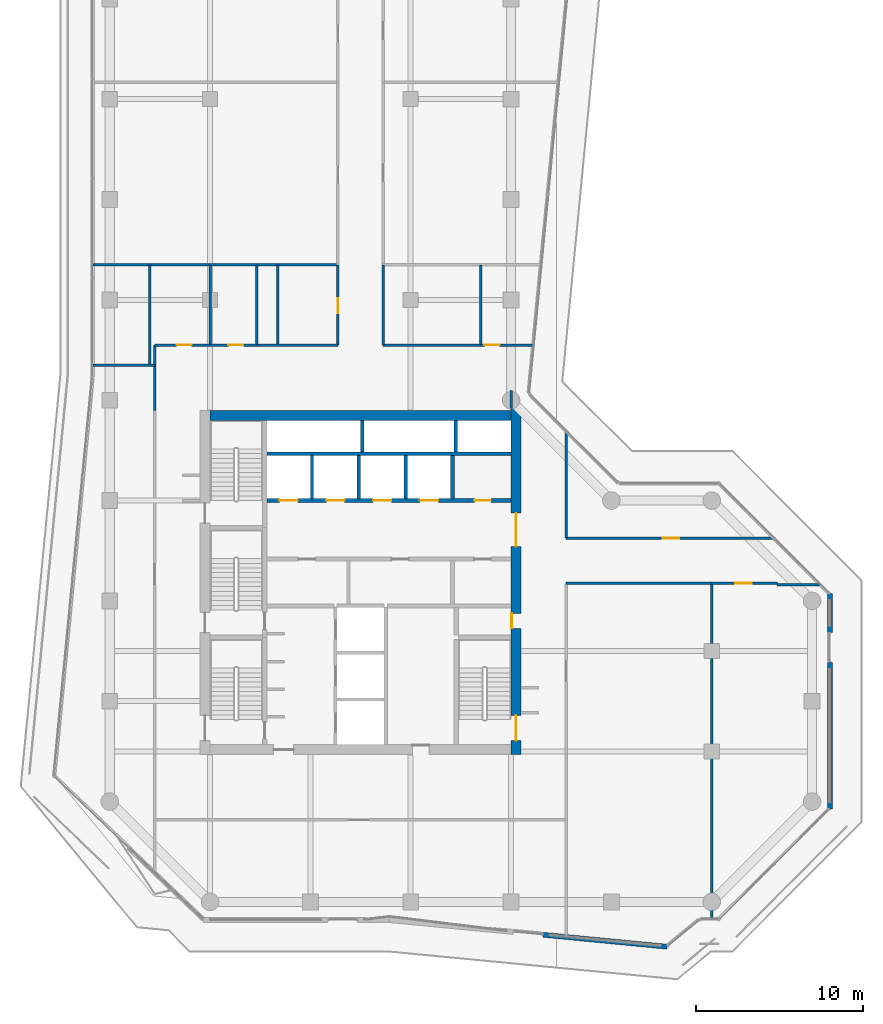
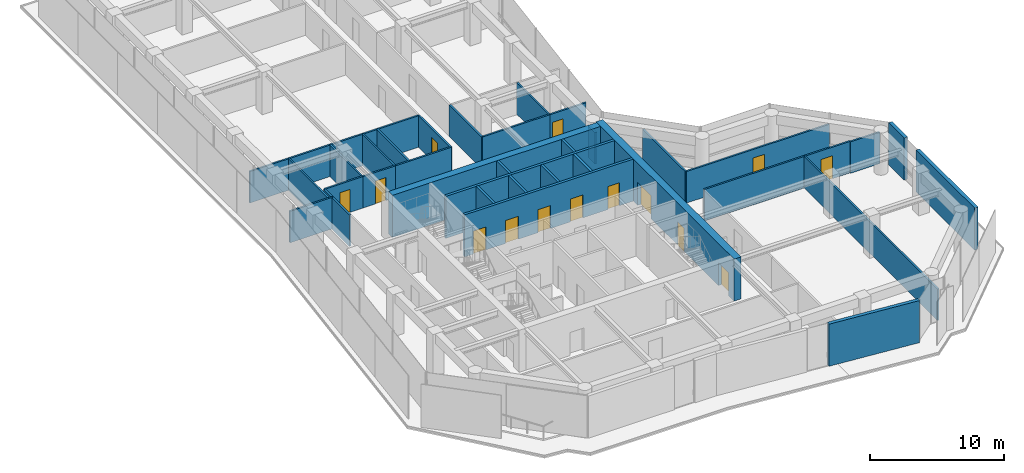
# One storey, part 20 of 23: 35 walls, 14 doors, 14 openings.
"""IFC4 building model written with IfcOpenShell, lengths in metres."""

from ifc_helpers import new_model, si_unit, direction, frame, frame_2d, origin, place, context, subcontext, project, spatial, rectangle, extrude, material, layer, layer_set, type_object, element, fill, save


model = new_model("IFC4")

# Units and contexts
model_context = context("Model", 3, precision=1e-05, world=origin(), true_north=direction((0.0, 1.0)))
body_context = subcontext(model_context, "Body", "Model", "MODEL_VIEW")
ifc_project = project(units=[si_unit("LENGTHUNIT", "METRE"), si_unit("AREAUNIT", "SQUARE_METRE"), si_unit("VOLUMEUNIT", "CUBIC_METRE"), si_unit("PLANEANGLEUNIT", "RADIAN"), si_unit("MASSUNIT", "GRAM", prefix="KILO")], contexts=[model_context])

# Site, building, storey
site_placement = place(None, origin())
site = spatial("IfcSite", under=ifc_project, at=site_placement, CompositionType="ELEMENT")
building_placement = place(site_placement, origin())
building = spatial("IfcBuilding", under=site, at=building_placement, Name="Welwitschia Terrace Campus", CompositionType="ELEMENT")
storey_placement = place(building_placement, frame((0.0, 0.0, 146.60009765625)))
storey = spatial("IfcBuildingStorey", under=building, at=storey_placement, Name="L32", CompositionType="ELEMENT", Elevation=146.60009765625)

# Wall, openings, doors
ifc_material_1 = material(Name="Concrete C32/40", Category="concrete")
ifc_layer_1 = layer(ifc_material_1, 0.22509765625)
ifc_layer_set_1 = layer_set([ifc_layer_1], Name="Concrete C32/40")
wall_type_1 = type_object("IfcWallType", Name="Core partition 225 Concrete C32/40", PredefinedType="PARTITIONING", material=ifc_layer_set_1)
wall_1_placement = place(storey_placement, frame((24.0, 20.0, 0.0), z_axis=(0.0, 0.0, 1.0), x_axis=(-1.0, 0.0, 0.0)))
wall_1 = element("IfcWall", 1, at=wall_1_placement, inside=storey, type_object=wall_type_1, Name="Shaft wall", PredefinedType="PARTITIONING", context=body_context, shape_type="SweptSolid", body=[
    extrude(rectangle(XDim=14.60009765625, YDim=0.22509765625, at=frame_2d((7.300048828125, 0.0))), origin(), (0.0, 0.0, 1.0), 3.849853515625),
])
opening_1_placement = place(wall_1_placement, frame((12.75, 0.0, 0.0)))
opening_1 = element("IfcOpeningElement", 2, at=opening_1_placement, cuts=wall_1, Name="Opening LD", PredefinedType="OPENING", context=body_context, shape_type="SweptSolid", body=[
    extrude(rectangle(XDim=1.10009765625, YDim=2.10009765625, at=frame_2d((0.550048828125, 1.050048828125))), frame((0.0, 0.12255859375, 0.0), z_axis=(0.0, -1.0, 0.0), x_axis=(1.0, 0.0, 0.0)), (0.0, 0.0, 1.0), 0.2451171875),
])
opening_2_placement = place(wall_1_placement, frame((9.949951171875, 0.0, 0.0)))
opening_2 = element("IfcOpeningElement", 3, at=opening_2_placement, cuts=wall_1, Name="Opening LD", PredefinedType="OPENING", context=body_context, shape_type="SweptSolid", body=[
    extrude(rectangle(XDim=1.10009765625, YDim=2.10009765625, at=frame_2d((0.550048828125, 1.050048828125))), frame((0.0, 0.12255859375, 0.0), z_axis=(0.0, -1.0, 0.0), x_axis=(1.0, 0.0, 0.0)), (0.0, 0.0, 1.0), 0.2451171875),
])
opening_3_placement = place(wall_1_placement, frame((7.14990234375, 0.0, 0.0)))
opening_3 = element("IfcOpeningElement", 4, at=opening_3_placement, cuts=wall_1, Name="Opening LD", PredefinedType="OPENING", context=body_context, shape_type="SweptSolid", body=[
    extrude(rectangle(XDim=1.10009765625, YDim=2.10009765625, at=frame_2d((0.550048828125, 1.050048828125))), frame((0.0, 0.12255859375, 0.0), z_axis=(0.0, -1.0, 0.0), x_axis=(1.0, 0.0, 0.0)), (0.0, 0.0, 1.0), 0.2451171875),
])
opening_4_placement = place(wall_1_placement, frame((4.35009765625, 0.0, 0.0)))
opening_4 = element("IfcOpeningElement", 5, at=opening_4_placement, cuts=wall_1, Name="Opening LD", PredefinedType="OPENING", context=body_context, shape_type="SweptSolid", body=[
    extrude(rectangle(XDim=1.10009765625, YDim=2.10009765625, at=frame_2d((0.550048828125, 1.050048828125))), frame((0.0, 0.12255859375, 0.0), z_axis=(0.0, -1.0, 0.0), x_axis=(1.0, 0.0, 0.0)), (0.0, 0.0, 1.0), 0.2451171875),
])
opening_5_placement = place(wall_1_placement, frame((1.199951171875, 0.0, 0.0)))
opening_5 = element("IfcOpeningElement", 6, at=opening_5_placement, cuts=wall_1, Name="Opening DR10", PredefinedType="OPENING", context=body_context, shape_type="SweptSolid", body=[
    extrude(rectangle(XDim=1.0, YDim=2.10009765625, at=frame_2d((0.5, 1.050048828125))), frame((0.0, 0.12255859375, 0.0), z_axis=(0.0, -1.0, 0.0), x_axis=(1.0, 0.0, 0.0)), (0.0, 0.0, 1.0), 0.2451171875),
])
ifc_material_2 = material(Name="Steel S275", Category="steel")
door_type_1 = type_object("IfcDoorType", Name="Core door DR10", OperationType="SINGLE_SWING_LEFT", PredefinedType="DOOR", material=ifc_material_2)
door_1_placement = place(opening_5_placement, origin())
door_1 = element("IfcDoor", 7, at=door_1_placement, inside=storey, type_object=door_type_1, Name="Door EH-D", OperationType="SINGLE_SWING_LEFT", OverallHeight=2.10009765625, OverallWidth=1.0, PredefinedType="DOOR", context=body_context, shape_type="SweptSolid", body=[
    extrude(rectangle(XDim=1.0, YDim=2.10009765625, at=frame_2d((0.5, 1.050048828125))), frame((0.0, 0.02490234375, 0.0), z_axis=(0.0, -1.0, 0.0), x_axis=(1.0, 0.0, 0.0)), (0.0, 0.0, 1.0), 0.050048828125),
])
fill(opening_5, door_1)
ifc_material_3 = material(Name="Stainless steel 304", Category="steel")
door_type_2 = type_object("IfcDoorType", Name="Lift landing door", OperationType="DOUBLE_DOOR_SLIDING", PredefinedType="DOOR", material=ifc_material_3)
door_2_placement = place(opening_1_placement, origin())
door_2 = element("IfcDoor", 8, at=door_2_placement, inside=storey, type_object=door_type_2, Name="Landing door HR1", OperationType="DOUBLE_DOOR_SLIDING", OverallHeight=2.10009765625, OverallWidth=1.10009765625, PredefinedType="DOOR", context=body_context, shape_type="SweptSolid", body=[
    extrude(rectangle(XDim=1.10009765625, YDim=2.10009765625, at=frame_2d((0.550048828125, 1.050048828125))), frame((0.0, 0.02490234375, 0.0), z_axis=(0.0, -1.0, 0.0), x_axis=(1.0, 0.0, 0.0)), (0.0, 0.0, 1.0), 0.050048828125),
])
fill(opening_1, door_2)
door_3_placement = place(opening_2_placement, origin())
door_3 = element("IfcDoor", 9, at=door_3_placement, inside=storey, type_object=door_type_2, Name="Landing door HR2", OperationType="DOUBLE_DOOR_SLIDING", OverallHeight=2.10009765625, OverallWidth=1.10009765625, PredefinedType="DOOR", context=body_context, shape_type="SweptSolid", body=[
    extrude(rectangle(XDim=1.10009765625, YDim=2.10009765625, at=frame_2d((0.550048828125, 1.050048828125))), frame((0.0, 0.02490234375, 0.0), z_axis=(0.0, -1.0, 0.0), x_axis=(1.0, 0.0, 0.0)), (0.0, 0.0, 1.0), 0.050048828125),
])
fill(opening_2, door_3)
door_4_placement = place(opening_3_placement, origin())
door_4 = element("IfcDoor", 10, at=door_4_placement, inside=storey, type_object=door_type_2, Name="Landing door HR3", OperationType="DOUBLE_DOOR_SLIDING", OverallHeight=2.10009765625, OverallWidth=1.10009765625, PredefinedType="DOOR", context=body_context, shape_type="SweptSolid", body=[
    extrude(rectangle(XDim=1.10009765625, YDim=2.10009765625, at=frame_2d((0.550048828125, 1.050048828125))), frame((0.0, 0.02490234375, 0.0), z_axis=(0.0, -1.0, 0.0), x_axis=(1.0, 0.0, 0.0)), (0.0, 0.0, 1.0), 0.050048828125),
])
fill(opening_3, door_4)
door_5_placement = place(opening_4_placement, origin())
door_5 = element("IfcDoor", 11, at=door_5_placement, inside=storey, type_object=door_type_2, Name="Landing door HR4", OperationType="DOUBLE_DOOR_SLIDING", OverallHeight=2.10009765625, OverallWidth=1.10009765625, PredefinedType="DOOR", context=body_context, shape_type="SweptSolid", body=[
    extrude(rectangle(XDim=1.10009765625, YDim=2.10009765625, at=frame_2d((0.550048828125, 1.050048828125))), frame((0.0, 0.02490234375, 0.0), z_axis=(0.0, -1.0, 0.0), x_axis=(1.0, 0.0, 0.0)), (0.0, 0.0, 1.0), 0.050048828125),
])
fill(opening_4, door_5)

# Walls
wall_2_placement = place(storey_placement, frame((9.39990234375, 22.800048828125, 0.0), z_axis=(0.0, 0.0, 1.0), x_axis=(1.0, 0.0, 0.0)))
element("IfcWall", 12, at=wall_2_placement, inside=storey, type_object=wall_type_1, Name="Shaft wall", PredefinedType="PARTITIONING", context=body_context, shape_type="SweptSolid", body=[
    extrude(rectangle(XDim=14.60009765625, YDim=0.22509765625, at=frame_2d((7.300048828125, 0.0))), origin(), (0.0, 0.0, 1.0), 3.849853515625),
])
wall_3_placement = place(storey_placement, frame((20.5, 20.10009765625, 0.0), z_axis=(0.0, 0.0, 1.0), x_axis=(0.0, 1.0, 0.0)))
element("IfcWall", 13, at=wall_3_placement, inside=storey, type_object=wall_type_1, Name="Shaft wall", PredefinedType="PARTITIONING", context=body_context, shape_type="SweptSolid", body=[
    extrude(rectangle(XDim=2.599853515625, YDim=0.22509765625, at=frame_2d((1.2998046875, 0.0))), origin(), (0.0, 0.0, 1.0), 3.849853515625),
])
ifc_material_4 = material(Name="Concrete C50/60", Category="concrete")
ifc_layer_2 = layer(ifc_material_4, 0.199951171875)
ifc_layer_set_2 = layer_set([ifc_layer_2], Name="Concrete C50/60")
wall_type_2 = type_object("IfcWallType", Name="Core wall 200 Concrete C50/60", PredefinedType="SHEAR", material=ifc_layer_set_2)
for number, where, z_axis, x_axis, name in (
    (14, (15.10009765625, 22.89990234375, 0.0), (0.0, 0.0, 1.0), (0.0, 1.0, 0.0), "Core wall"),
    (15, (20.699951171875, 22.89990234375, 0.0), (0.0, 0.0, 1.0), (0.0, 1.0, 0.0), "Core wall"),
):
    element("IfcWall", number, at=place(storey_placement, frame(where, z_axis=z_axis, x_axis=x_axis)), inside=storey, type_object=wall_type_2, Name=name, PredefinedType="SHEAR", context=body_context, shape_type="SweptSolid", body=[
        extrude(rectangle(XDim=1.900146484375, YDim=0.199951171875, at=frame_2d((0.9501953125, 0.0))), origin(), (0.0, 0.0, 1.0), 3.849853515625),
    ])

# Wall, openings, doors
ifc_material_5 = material(Name="Concrete C60/75", Category="concrete")
ifc_layer_3 = layer(ifc_material_5, 0.60009765625)
ifc_layer_set_3 = layer_set([ifc_layer_3], Name="Concrete C60/75")
wall_type_3 = type_object("IfcWallType", Name="Core wall 600 Concrete C60/75", PredefinedType="SHEAR", material=ifc_layer_set_3)
wall_4_placement = place(storey_placement, frame((24.300048828125, 25.5048828125, 0.0), z_axis=(0.0, 0.0, 1.0), x_axis=(0.0, -1.0, 0.0)))
wall_4 = element("IfcWall", 16, at=wall_4_placement, inside=storey, type_object=wall_type_3, Name="Core outer wall", PredefinedType="SHEAR", context=body_context, shape_type="SweptSolid", body=[
    extrude(rectangle(XDim=20.704833984375, YDim=0.60009765625, at=frame_2d((10.3525390625, 0.0))), origin(), (0.0, 0.0, 1.0), 3.849853515625),
])
opening_6_placement = place(wall_4_placement, frame((18.35498046875, 0.0, 0.0)))
opening_6 = element("IfcOpeningElement", 17, at=opening_6_placement, cuts=wall_4, Name="Opening DS15", PredefinedType="OPENING", context=body_context, shape_type="SweptSolid", body=[
    extrude(rectangle(XDim=1.5, YDim=2.10009765625, at=frame_2d((0.75, 1.050048828125))), frame((0.0, 0.31005859375, 0.0), z_axis=(0.0, -1.0, 0.0), x_axis=(1.0, 0.0, 0.0)), (0.0, 0.0, 1.0), 0.6201171875),
])
opening_7_placement = place(wall_4_placement, frame((12.2548828125, 0.0, 0.0)))
opening_7 = element("IfcOpeningElement", 18, at=opening_7_placement, cuts=wall_4, Name="Opening DR09", PredefinedType="OPENING", context=body_context, shape_type="SweptSolid", body=[
    extrude(rectangle(XDim=0.89990234375, YDim=2.10009765625, at=frame_2d((0.449951171875, 1.050048828125))), frame((0.0, 0.31005859375, 0.0), z_axis=(0.0, -1.0, 0.0), x_axis=(1.0, 0.0, 0.0)), (0.0, 0.0, 1.0), 0.6201171875),
])
opening_8_placement = place(wall_4_placement, frame((6.2548828125, 0.0, 0.0)))
opening_8 = element("IfcOpeningElement", 19, at=opening_8_placement, cuts=wall_4, Name="Opening DL20", PredefinedType="OPENING", context=body_context, shape_type="SweptSolid", body=[
    extrude(rectangle(XDim=2.0, YDim=2.10009765625, at=frame_2d((1.0, 1.050048828125))), frame((0.0, 0.31005859375, 0.0), z_axis=(0.0, -1.0, 0.0), x_axis=(1.0, 0.0, 0.0)), (0.0, 0.0, 1.0), 0.6201171875),
])
ifc_material_6 = material(Name="Steel S275", Category="steel")
door_type_3 = type_object("IfcDoorType", Name="Core door DL20", OperationType="DOUBLE_DOOR_SINGLE_SWING", PredefinedType="DOOR", material=ifc_material_6)
door_6_placement = place(opening_8_placement, origin())
door_6 = element("IfcDoor", 20, at=door_6_placement, inside=storey, type_object=door_type_3, Name="Door LOBBY-out", OperationType="DOUBLE_DOOR_SINGLE_SWING", OverallHeight=2.10009765625, OverallWidth=2.0, PredefinedType="DOOR", context=body_context, shape_type="SweptSolid", body=[
    extrude(rectangle(XDim=2.0, YDim=2.10009765625, at=frame_2d((1.0, 1.050048828125))), frame((0.0, 0.02490234375, 0.0), z_axis=(0.0, -1.0, 0.0), x_axis=(1.0, 0.0, 0.0)), (0.0, 0.0, 1.0), 0.050048828125),
])
fill(opening_8, door_6)
ifc_material_7 = material(Name="Steel S275", Category="steel")
door_type_4 = type_object("IfcDoorType", Name="Core door DR09", OperationType="SINGLE_SWING_LEFT", PredefinedType="DOOR", material=ifc_material_7)
door_7_placement = place(opening_7_placement, origin())
door_7 = element("IfcDoor", 21, at=door_7_placement, inside=storey, type_object=door_type_4, Name="Door F1B-out", OperationType="SINGLE_SWING_RIGHT", OverallHeight=2.10009765625, OverallWidth=0.89990234375, PredefinedType="DOOR", context=body_context, shape_type="SweptSolid", body=[
    extrude(rectangle(XDim=0.89990234375, YDim=2.10009765625, at=frame_2d((0.449951171875, 1.050048828125))), frame((0.0, -0.23974609375, 0.0), z_axis=(0.0, -1.0, 0.0), x_axis=(1.0, 0.0, 0.0)), (0.0, 0.0, 1.0), 0.050048828125),
])
fill(opening_7, door_7)
ifc_material_8 = material(Name="Steel S275", Category="steel")
door_type_5 = type_object("IfcDoorType", Name="Core door DS15", OperationType="DOUBLE_DOOR_SINGLE_SWING", PredefinedType="DOOR", material=ifc_material_8)
door_8_placement = place(opening_6_placement, origin())
door_8 = element("IfcDoor", 22, at=door_8_placement, inside=storey, type_object=door_type_5, Name="Door S2-out", OperationType="DOUBLE_DOOR_SINGLE_SWING", OverallHeight=2.10009765625, OverallWidth=1.5, PredefinedType="DOOR", context=body_context, shape_type="SweptSolid", body=[
    extrude(rectangle(XDim=1.5, YDim=2.10009765625, at=frame_2d((0.75, 1.050048828125))), frame((0.0, 0.02490234375, 0.0), z_axis=(0.0, -1.0, 0.0), x_axis=(1.0, 0.0, 0.0)), (0.0, 0.0, 1.0), 0.050048828125),
])
fill(opening_6, door_8)

# Walls
wall_5_placement = place(storey_placement, frame((6.0, 25.10009765625, 0.0), z_axis=(0.0, 0.0, 1.0), x_axis=(1.0, 0.0, 0.0)))
element("IfcWall", 23, at=wall_5_placement, inside=storey, type_object=wall_type_3, Name="Core outer wall", PredefinedType="SHEAR", context=body_context, shape_type="SweptSolid", body=[
    extrude(rectangle(XDim=18.0, YDim=0.60009765625, at=frame_2d((9.0, 0.0))), origin(), (0.0, 0.0, 1.0), 3.849853515625),
])
ifc_material_9 = material(Name="Gypsum board on steel studs", Category="steel")
ifc_layer_4 = layer(ifc_material_9, 0.14990234375)
ifc_layer_set_4 = layer_set([ifc_layer_4], Name="Gypsum board on steel studs")
wall_type_4 = type_object("IfcWallType", Name="Corridor partition 150 EI 30", PredefinedType="PARTITIONING", material=ifc_layer_set_4)
wall_6_placement = place(storey_placement, frame((-1.010009765625, 34.10009765625, 0.0), z_axis=(0.0, 0.0, 1.0), x_axis=(1.0, 0.0, 0.0)))
element("IfcWall", 24, at=wall_6_placement, inside=storey, type_object=wall_type_4, Name="Partition", PredefinedType="PARTITIONING", context=body_context, shape_type="SweptSolid", body=[
    extrude(rectangle(XDim=14.659912109375, YDim=0.14990234375, at=frame_2d((7.330078125, 0.0))), origin(), (0.0, 0.0, 1.0), 2.8798828125),
])
wall_7_placement = place(storey_placement, frame((-0.998046875, 28.10009765625, 0.0), z_axis=(0.0, 0.0, 1.0), x_axis=(1.0, 0.0, 0.0)))
element("IfcWall", 25, at=wall_7_placement, inside=storey, type_object=wall_type_4, Name="Partition", PredefinedType="PARTITIONING", context=body_context, shape_type="SweptSolid", body=[
    extrude(rectangle(XDim=3.697998046875, YDim=0.14990234375, at=frame_2d((1.84912109375, 0.0))), origin(), (0.0, 0.0, 1.0), 2.8798828125),
])
wall_8_placement = place(storey_placement, frame((2.39990234375, 28.10009765625, 0.0), z_axis=(0.0, 0.0, 1.0), x_axis=(0.0, 1.0, 0.0)))
element("IfcWall", 26, at=wall_8_placement, inside=storey, type_object=wall_type_4, Name="Partition", PredefinedType="PARTITIONING", context=body_context, shape_type="SweptSolid", body=[
    extrude(rectangle(XDim=6.0, YDim=0.14990234375, at=frame_2d((3.0, 0.0))), origin(), (0.0, 0.0, 1.0), 2.8798828125),
])
wall_9_placement = place(storey_placement, frame((2.699951171875, 25.39990234375, 0.0), z_axis=(0.0, 0.0, 1.0), x_axis=(0.0, 1.0, 0.0)))
element("IfcWall", 27, at=wall_9_placement, inside=storey, type_object=wall_type_4, Name="Partition", PredefinedType="PARTITIONING", context=body_context, shape_type="SweptSolid", body=[
    extrude(rectangle(XDim=3.900146484375, YDim=0.14990234375, at=frame_2d((1.9501953125, 0.0))), origin(), (0.0, 0.0, 1.0), 2.8798828125),
])

# Wall, opening, door
wall_10_placement = place(storey_placement, frame((2.699951171875, 29.300048828125, 0.0), z_axis=(0.0, 0.0, 1.0), x_axis=(1.0, 0.0, 0.0)))
wall_10 = element("IfcWall", 28, at=wall_10_placement, inside=storey, type_object=wall_type_4, Name="Partition", PredefinedType="PARTITIONING", context=body_context, shape_type="SweptSolid", body=[
    extrude(rectangle(XDim=3.300048828125, YDim=0.14990234375, at=frame_2d((1.64990234375, 0.0))), origin(), (0.0, 0.0, 1.0), 2.8798828125),
])
opening_9_placement = place(wall_10_placement, frame((1.300048828125, 0.0, 0.0)))
opening_9 = element("IfcOpeningElement", 29, at=opening_9_placement, cuts=wall_10, Name="Opening DI09", PredefinedType="OPENING", context=body_context, shape_type="SweptSolid", body=[
    extrude(rectangle(XDim=0.89990234375, YDim=2.10009765625, at=frame_2d((0.449951171875, 1.050048828125))), frame((0.0, 0.0849609375, 0.0), z_axis=(0.0, -1.0, 0.0), x_axis=(1.0, 0.0, 0.0)), (0.0, 0.0, 1.0), 0.169921875),
])
ifc_material_10 = material(Name="Timber veneered door", Category="wood")
door_type_6 = type_object("IfcDoorType", Name="Interior door DI09", OperationType="NOTDEFINED", PredefinedType="DOOR", material=ifc_material_10)
door_9_placement = place(opening_9_placement, origin())
door_9 = element("IfcDoor", 30, at=door_9_placement, inside=storey, type_object=door_type_6, Name="Door L32 660", OperationType="SINGLE_SWING_LEFT", OverallHeight=2.10009765625, OverallWidth=0.89990234375, PredefinedType="DOOR", context=body_context, shape_type="SweptSolid", body=[
    extrude(rectangle(XDim=0.89990234375, YDim=2.10009765625, at=frame_2d((0.449951171875, 1.050048828125))), frame((0.0, 0.02490234375, 0.0), z_axis=(0.0, -1.0, 0.0), x_axis=(1.0, 0.0, 0.0)), (0.0, 0.0, 1.0), 0.050048828125),
])
fill(opening_9, door_9)

# Wall
wall_11_placement = place(storey_placement, frame((6.0, 29.300048828125, 0.0), z_axis=(0.0, 0.0, 1.0), x_axis=(0.0, 1.0, 0.0)))
element("IfcWall", 31, at=wall_11_placement, inside=storey, type_object=wall_type_4, Name="Partition", PredefinedType="PARTITIONING", context=body_context, shape_type="SweptSolid", body=[
    extrude(rectangle(XDim=4.800048828125, YDim=0.14990234375, at=frame_2d((2.39990234375, 0.0))), origin(), (0.0, 0.0, 1.0), 2.8798828125),
])

# Wall, opening, door
wall_12_placement = place(storey_placement, frame((6.0, 29.300048828125, 0.0), z_axis=(0.0, 0.0, 1.0), x_axis=(1.0, 0.0, 0.0)))
wall_12 = element("IfcWall", 32, at=wall_12_placement, inside=storey, type_object=wall_type_4, Name="Partition", PredefinedType="PARTITIONING", context=body_context, shape_type="SweptSolid", body=[
    extrude(rectangle(XDim=2.800048828125, YDim=0.14990234375, at=frame_2d((1.39990234375, 0.0))), origin(), (0.0, 0.0, 1.0), 2.8798828125),
])
opening_10_placement = place(wall_12_placement, frame((1.10009765625, 0.0, 0.0)))
opening_10 = element("IfcOpeningElement", 33, at=opening_10_placement, cuts=wall_12, Name="Opening DI09", PredefinedType="OPENING", context=body_context, shape_type="SweptSolid", body=[
    extrude(rectangle(XDim=0.89990234375, YDim=2.10009765625, at=frame_2d((0.449951171875, 1.050048828125))), frame((0.0, 0.0849609375, 0.0), z_axis=(0.0, -1.0, 0.0), x_axis=(1.0, 0.0, 0.0)), (0.0, 0.0, 1.0), 0.169921875),
])
door_10_placement = place(opening_10_placement, origin())
door_10 = element("IfcDoor", 34, at=door_10_placement, inside=storey, type_object=door_type_6, Name="Door L32 661", OperationType="SINGLE_SWING_RIGHT", OverallHeight=2.10009765625, OverallWidth=0.89990234375, PredefinedType="DOOR", context=body_context, shape_type="SweptSolid", body=[
    extrude(rectangle(XDim=0.89990234375, YDim=2.10009765625, at=frame_2d((0.449951171875, 1.050048828125))), frame((0.0, 0.02490234375, 0.0), z_axis=(0.0, -1.0, 0.0), x_axis=(1.0, 0.0, 0.0)), (0.0, 0.0, 1.0), 0.050048828125),
])
fill(opening_10, door_10)

# Walls
wall_13_placement = place(storey_placement, frame((8.800048828125, 29.300048828125, 0.0), z_axis=(0.0, 0.0, 1.0), x_axis=(0.0, 1.0, 0.0)))
element("IfcWall", 35, at=wall_13_placement, inside=storey, type_object=wall_type_4, Name="Partition", PredefinedType="PARTITIONING", context=body_context, shape_type="SweptSolid", body=[
    extrude(rectangle(XDim=4.800048828125, YDim=0.14990234375, at=frame_2d((2.39990234375, 0.0))), origin(), (0.0, 0.0, 1.0), 2.8798828125),
])
wall_14_placement = place(storey_placement, frame((8.800048828125, 29.300048828125, 0.0), z_axis=(0.0, 0.0, 1.0), x_axis=(1.0, 0.0, 0.0)))
element("IfcWall", 36, at=wall_14_placement, inside=storey, type_object=wall_type_4, Name="Partition", PredefinedType="PARTITIONING", context=body_context, shape_type="SweptSolid", body=[
    extrude(rectangle(XDim=4.849853515625, YDim=0.14990234375, at=frame_2d((2.4248046875, 0.0))), origin(), (0.0, 0.0, 1.0), 2.8798828125),
])
wall_15_placement = place(storey_placement, frame((10.050048828125, 29.300048828125, 0.0), z_axis=(0.0, 0.0, 1.0), x_axis=(0.0, 1.0, 0.0)))
element("IfcWall", 37, at=wall_15_placement, inside=storey, type_object=wall_type_4, Name="Partition", PredefinedType="PARTITIONING", context=body_context, shape_type="SweptSolid", body=[
    extrude(rectangle(XDim=4.800048828125, YDim=0.14990234375, at=frame_2d((2.39990234375, 0.0))), origin(), (0.0, 0.0, 1.0), 2.8798828125),
])

# Wall, opening, door
wall_16_placement = place(storey_placement, frame((13.64990234375, 29.300048828125, 0.0), z_axis=(0.0, 0.0, 1.0), x_axis=(0.0, 1.0, 0.0)))
wall_16 = element("IfcWall", 38, at=wall_16_placement, inside=storey, type_object=wall_type_4, Name="Partition", PredefinedType="PARTITIONING", context=body_context, shape_type="SweptSolid", body=[
    extrude(rectangle(XDim=4.800048828125, YDim=0.14990234375, at=frame_2d((2.39990234375, 0.0))), origin(), (0.0, 0.0, 1.0), 2.8798828125),
])
opening_11_placement = place(wall_16_placement, frame((1.89990234375, 0.0, 0.0)))
opening_11 = element("IfcOpeningElement", 39, at=opening_11_placement, cuts=wall_16, Name="Opening DI09", PredefinedType="OPENING", context=body_context, shape_type="SweptSolid", body=[
    extrude(rectangle(XDim=0.89990234375, YDim=2.10009765625, at=frame_2d((0.449951171875, 1.050048828125))), frame((0.0, 0.0849609375, 0.0), z_axis=(0.0, -1.0, 0.0), x_axis=(1.0, 0.0, 0.0)), (0.0, 0.0, 1.0), 0.169921875),
])
door_11_placement = place(opening_11_placement, origin())
door_11 = element("IfcDoor", 40, at=door_11_placement, inside=storey, type_object=door_type_6, Name="Door L32 662", OperationType="SINGLE_SWING_LEFT", OverallHeight=2.10009765625, OverallWidth=0.89990234375, PredefinedType="DOOR", context=body_context, shape_type="SweptSolid", body=[
    extrude(rectangle(XDim=0.89990234375, YDim=2.10009765625, at=frame_2d((0.449951171875, 1.050048828125))), frame((0.0, 0.02490234375, 0.0), z_axis=(0.0, -1.0, 0.0), x_axis=(1.0, 0.0, 0.0)), (0.0, 0.0, 1.0), 0.050048828125),
])
fill(opening_11, door_11)

# Walls
wall_17_placement = place(storey_placement, frame((16.35009765625, 29.300048828125, 0.0), z_axis=(0.0, 0.0, 1.0), x_axis=(0.0, 1.0, 0.0)))
element("IfcWall", 41, at=wall_17_placement, inside=storey, type_object=wall_type_4, Name="Partition", PredefinedType="PARTITIONING", context=body_context, shape_type="SweptSolid", body=[
    extrude(rectangle(XDim=4.800048828125, YDim=0.14990234375, at=frame_2d((2.39990234375, 0.0))), origin(), (0.0, 0.0, 1.0), 2.8798828125),
])
wall_18_placement = place(storey_placement, frame((16.35009765625, 29.300048828125, 0.0), z_axis=(0.0, 0.0, 1.0), x_axis=(1.0, 0.0, 0.0)))
element("IfcWall", 42, at=wall_18_placement, inside=storey, type_object=wall_type_4, Name="Partition", PredefinedType="PARTITIONING", context=body_context, shape_type="SweptSolid", body=[
    extrude(rectangle(XDim=5.829833984375, YDim=0.14990234375, at=frame_2d((2.9150390625, 0.0))), origin(), (0.0, 0.0, 1.0), 2.8798828125),
])
wall_19_placement = place(storey_placement, frame((22.179931640625, 29.300048828125, 0.0), z_axis=(0.0, 0.0, 1.0), x_axis=(0.0, 1.0, 0.0)))
element("IfcWall", 43, at=wall_19_placement, inside=storey, type_object=wall_type_4, Name="Partition", PredefinedType="PARTITIONING", context=body_context, shape_type="SweptSolid", body=[
    extrude(rectangle(XDim=4.800048828125, YDim=0.14990234375, at=frame_2d((2.39990234375, 0.0))), origin(), (0.0, 0.0, 1.0), 2.8798828125),
])

# Wall, opening, door
wall_20_placement = place(storey_placement, frame((22.179931640625, 29.300048828125, 0.0), z_axis=(0.0, 0.0, 1.0), x_axis=(1.0, 0.0, 0.0)))
wall_20 = element("IfcWall", 44, at=wall_20_placement, inside=storey, type_object=wall_type_4, Name="Partition", PredefinedType="PARTITIONING", context=body_context, shape_type="SweptSolid", body=[
    extrude(rectangle(XDim=3.130126953125, YDim=0.14990234375, at=frame_2d((1.56494140625, 0.0))), origin(), (0.0, 0.0, 1.0), 2.8798828125),
])
opening_12_placement = place(wall_20_placement, frame((0.22998046875, 0.0, 0.0)))
opening_12 = element("IfcOpeningElement", 45, at=opening_12_placement, cuts=wall_20, Name="Opening DI09", PredefinedType="OPENING", context=body_context, shape_type="SweptSolid", body=[
    extrude(rectangle(XDim=0.89990234375, YDim=2.10009765625, at=frame_2d((0.449951171875, 1.050048828125))), frame((0.0, 0.0849609375, 0.0), z_axis=(0.0, -1.0, 0.0), x_axis=(1.0, 0.0, 0.0)), (0.0, 0.0, 1.0), 0.169921875),
])
door_12_placement = place(opening_12_placement, origin())
door_12 = element("IfcDoor", 46, at=door_12_placement, inside=storey, type_object=door_type_6, Name="Door L32 671", OperationType="SINGLE_SWING_RIGHT", OverallHeight=2.10009765625, OverallWidth=0.89990234375, PredefinedType="DOOR", context=body_context, shape_type="SweptSolid", body=[
    extrude(rectangle(XDim=0.89990234375, YDim=2.10009765625, at=frame_2d((0.449951171875, 1.050048828125))), frame((0.0, 0.02490234375, 0.0), z_axis=(0.0, -1.0, 0.0), x_axis=(1.0, 0.0, 0.0)), (0.0, 0.0, 1.0), 0.050048828125),
])
fill(opening_12, door_12)

# Walls
wall_21_placement = place(storey_placement, frame((24.0, 25.5, 0.0), z_axis=(0.0, 0.0, 1.0), x_axis=(0.0, 1.0, 0.0)))
element("IfcWall", 47, at=wall_21_placement, inside=storey, type_object=wall_type_4, Name="Partition", PredefinedType="PARTITIONING", context=body_context, shape_type="SweptSolid", body=[
    extrude(rectangle(XDim=1.080078125, YDim=0.14990234375, at=frame_2d((0.5400390625, 0.0))), origin(), (0.0, 0.0, 1.0), 2.8798828125),
])
wall_22_placement = place(storey_placement, frame((27.300048828125, 15.050048828125, 0.0), z_axis=(0.0, 0.0, 1.0), x_axis=(1.0, 0.0, 0.0)))
element("IfcWall", 48, at=wall_22_placement, inside=storey, type_object=wall_type_4, Name="Partition", PredefinedType="PARTITIONING", context=body_context, shape_type="SweptSolid", body=[
    extrude(rectangle(XDim=8.699951171875, YDim=0.14990234375, at=frame_2d((4.35009765625, 0.0))), origin(), (0.0, 0.0, 1.0), 2.8798828125),
])
wall_23_placement = place(storey_placement, frame((27.300048828125, 17.75, 0.0), z_axis=(0.0, 0.0, 1.0), x_axis=(0.0, 1.0, 0.0)))
element("IfcWall", 49, at=wall_23_placement, inside=storey, type_object=wall_type_4, Name="Partition", PredefinedType="PARTITIONING", context=body_context, shape_type="SweptSolid", body=[
    extrude(rectangle(XDim=6.3701171875, YDim=0.14990234375, at=frame_2d((3.18505859375, 0.0))), origin(), (0.0, 0.0, 1.0), 2.8798828125),
])

# Wall, opening, door
wall_24_placement = place(storey_placement, frame((27.300048828125, 17.75, 0.0), z_axis=(0.0, 0.0, 1.0), x_axis=(1.0, 0.0, 0.0)))
wall_24 = element("IfcWall", 50, at=wall_24_placement, inside=storey, type_object=wall_type_4, Name="Partition", PredefinedType="PARTITIONING", context=body_context, shape_type="SweptSolid", body=[
    extrude(rectangle(XDim=12.383056640625, YDim=0.14990234375, at=frame_2d((6.19140625, 0.0))), origin(), (0.0, 0.0, 1.0), 2.8798828125),
])
opening_13_placement = place(wall_24_placement, frame((5.77001953125, 0.0, 0.0)))
opening_13 = element("IfcOpeningElement", 51, at=opening_13_placement, cuts=wall_24, Name="Opening DI10", PredefinedType="OPENING", context=body_context, shape_type="SweptSolid", body=[
    extrude(rectangle(XDim=1.0, YDim=2.10009765625, at=frame_2d((0.5, 1.050048828125))), frame((0.0, 0.0849609375, 0.0), z_axis=(0.0, -1.0, 0.0), x_axis=(1.0, 0.0, 0.0)), (0.0, 0.0, 1.0), 0.169921875),
])
ifc_material_11 = material(Name="Timber veneered door", Category="wood")
door_type_7 = type_object("IfcDoorType", Name="Interior door DI10", OperationType="NOTDEFINED", PredefinedType="DOOR", material=ifc_material_11)
door_13_placement = place(opening_13_placement, origin())
door_13 = element("IfcDoor", 52, at=door_13_placement, inside=storey, type_object=door_type_7, Name="Door L32 674", OperationType="SINGLE_SWING_LEFT", OverallHeight=2.10009765625, OverallWidth=1.0, PredefinedType="DOOR", context=body_context, shape_type="SweptSolid", body=[
    extrude(rectangle(XDim=1.0, YDim=2.10009765625, at=frame_2d((0.5, 1.050048828125))), frame((0.0, 0.02490234375, 0.0), z_axis=(0.0, -1.0, 0.0), x_axis=(1.0, 0.0, 0.0)), (0.0, 0.0, 1.0), 0.050048828125),
])
fill(opening_13, door_13)

# Walls
wall_25_placement = place(storey_placement, frame((36.0, -4.998046875, 0.0), z_axis=(0.0, 0.0, 1.0), x_axis=(0.0, 1.0, 0.0)))
element("IfcWall", 53, at=wall_25_placement, inside=storey, type_object=wall_type_4, Name="Partition", PredefinedType="PARTITIONING", context=body_context, shape_type="SweptSolid", body=[
    extrude(rectangle(XDim=20.048095703125, YDim=0.14990234375, at=frame_2d((10.02392578125, 0.0))), origin(), (0.0, 0.0, 1.0), 2.8798828125),
])
wall_26_placement = place(storey_placement, frame((39.889892578125, 14.969970703125, 0.0), z_axis=(0.0, 0.0, 1.0), x_axis=(1.0, 0.0, 0.0)))
element("IfcWall", 54, at=wall_26_placement, inside=storey, type_object=wall_type_4, Name="Partition", PredefinedType="PARTITIONING", context=body_context, shape_type="SweptSolid", body=[
    extrude(rectangle(XDim=2.551513671875, YDim=0.14990234375, at=frame_2d((1.27587890625, 0.0))), origin(), (0.0, 0.0, 1.0), 2.8798828125),
])

# Wall, opening, door
wall_27_placement = place(storey_placement, frame((39.929931640625, 15.050048828125, 0.0), z_axis=(0.0, 0.0, 1.0), x_axis=(-1.0, 0.0, 0.0)))
wall_27 = element("IfcWall", 55, at=wall_27_placement, inside=storey, type_object=wall_type_4, Name="Partition", PredefinedType="PARTITIONING", context=body_context, shape_type="SweptSolid", body=[
    extrude(rectangle(XDim=3.929931640625, YDim=0.14990234375, at=frame_2d((1.96484375, 0.0))), origin(), (0.0, 0.0, 1.0), 2.8798828125),
])
opening_14_placement = place(wall_27_placement, frame((1.530029296875, 0.0, 0.0)))
opening_14 = element("IfcOpeningElement", 56, at=opening_14_placement, cuts=wall_27, Name="Opening DI10", PredefinedType="OPENING", context=body_context, shape_type="SweptSolid", body=[
    extrude(rectangle(XDim=1.0, YDim=2.10009765625, at=frame_2d((0.5, 1.050048828125))), frame((0.0, 0.0849609375, 0.0), z_axis=(0.0, -1.0, 0.0), x_axis=(1.0, 0.0, 0.0)), (0.0, 0.0, 1.0), 0.169921875),
])
door_14_placement = place(opening_14_placement, origin())
door_14 = element("IfcDoor", 57, at=door_14_placement, inside=storey, type_object=door_type_7, Name="Door L32 675", OperationType="SINGLE_SWING_RIGHT", OverallHeight=2.10009765625, OverallWidth=1.0, PredefinedType="DOOR", context=body_context, shape_type="SweptSolid", body=[
    extrude(rectangle(XDim=1.0, YDim=2.10009765625, at=frame_2d((0.5, 1.050048828125))), frame((0.0, 0.02490234375, 0.0), z_axis=(0.0, -1.0, 0.0), x_axis=(1.0, 0.0, 0.0)), (0.0, 0.0, 1.0), 0.050048828125),
])
fill(opening_14, door_14)

# Walls
ifc_material_12 = material(Name="Concrete C40/50", Category="concrete")
ifc_layer_5 = layer(ifc_material_12, 0.300048828125)
ifc_layer_set_5 = layer_set([ifc_layer_5], Name="Concrete C40/50")
wall_type_5 = type_object("IfcWallType", Name="Mass wall 300", PredefinedType="SOLIDWALL", material=ifc_layer_set_5)
wall_28_placement = place(storey_placement, frame((25.91162109375, -5.9658203125, 0.0), z_axis=(0.0, 0.0, 1.0), x_axis=(0.995395579457, -0.095852179927, 0.0)))
element("IfcWall", 58, at=wall_28_placement, inside=storey, type_object=wall_type_5, Name="Mass wall L32.4.1", PredefinedType="SOLIDWALL", context=body_context, shape_type="SweptSolid", body=[
    extrude(rectangle(XDim=7.455322265625, YDim=0.300048828125, at=frame_2d((3.7275390625, 0.0))), origin(), (0.0, 0.0, 1.0), 3.849853515625),
])
wall_29_placement = place(storey_placement, frame((43.078857421875, 1.561767578125, 0.0), z_axis=(0.0, 0.0, 1.0), x_axis=(0.0, 1.0, 0.0)))
element("IfcWall", 59, at=wall_29_placement, inside=storey, type_object=wall_type_5, Name="Mass wall L32.8.0", PredefinedType="SOLIDWALL", context=body_context, shape_type="SweptSolid", body=[
    extrude(rectangle(XDim=8.75732421875, YDim=0.300048828125, at=frame_2d((4.378662109375, 0.0))), origin(), (0.0, 0.0, 1.0), 3.849853515625),
])
wall_30_placement = place(storey_placement, frame((43.078857421875, 12.119140625, 0.0), z_axis=(0.0, 0.0, 1.0), x_axis=(0.0, 1.0, 0.0)))
element("IfcWall", 60, at=wall_30_placement, inside=storey, type_object=wall_type_5, Name="Mass wall L32.8.1", PredefinedType="SOLIDWALL", context=body_context, shape_type="SweptSolid", body=[
    extrude(rectangle(XDim=2.319091796875, YDim=0.300048828125, at=frame_2d((1.15966796875, 0.0))), origin(), (0.0, 0.0, 1.0), 3.849853515625),
])
ifc_material_13 = material(Name="Concrete C32/40", Category="concrete")
ifc_layer_6 = layer(ifc_material_13, 0.199951171875)
ifc_layer_set_6 = layer_set([ifc_layer_6], Name="Concrete C32/40")
wall_type_6 = type_object("IfcWallType", Name="Shaft wall 200 Concrete C32/40", PredefinedType="SOLIDWALL", material=ifc_layer_set_6)
for number, where, z_axis, x_axis, name in (
    (61, (12.10009765625, 20.10009765625, 0.0), (0.0, 0.0, 1.0), (0.0, 1.0, 0.0), "Shaft wall"),
    (62, (14.89990234375, 20.10009765625, 0.0), (0.0, 0.0, 1.0), (0.0, 1.0, 0.0), "Shaft wall"),
    (63, (17.699951171875, 20.10009765625, 0.0), (0.0, 0.0, 1.0), (0.0, 1.0, 0.0), "Shaft wall"),
):
    element("IfcWall", number, at=place(storey_placement, frame(where, z_axis=z_axis, x_axis=x_axis)), inside=storey, type_object=wall_type_6, Name=name, PredefinedType="SOLIDWALL", context=body_context, shape_type="SweptSolid", body=[
        extrude(rectangle(XDim=2.599853515625, YDim=0.199951171875, at=frame_2d((1.2998046875, 0.0))), origin(), (0.0, 0.0, 1.0), 3.849853515625),
    ])

save(model, "model.ifc")
